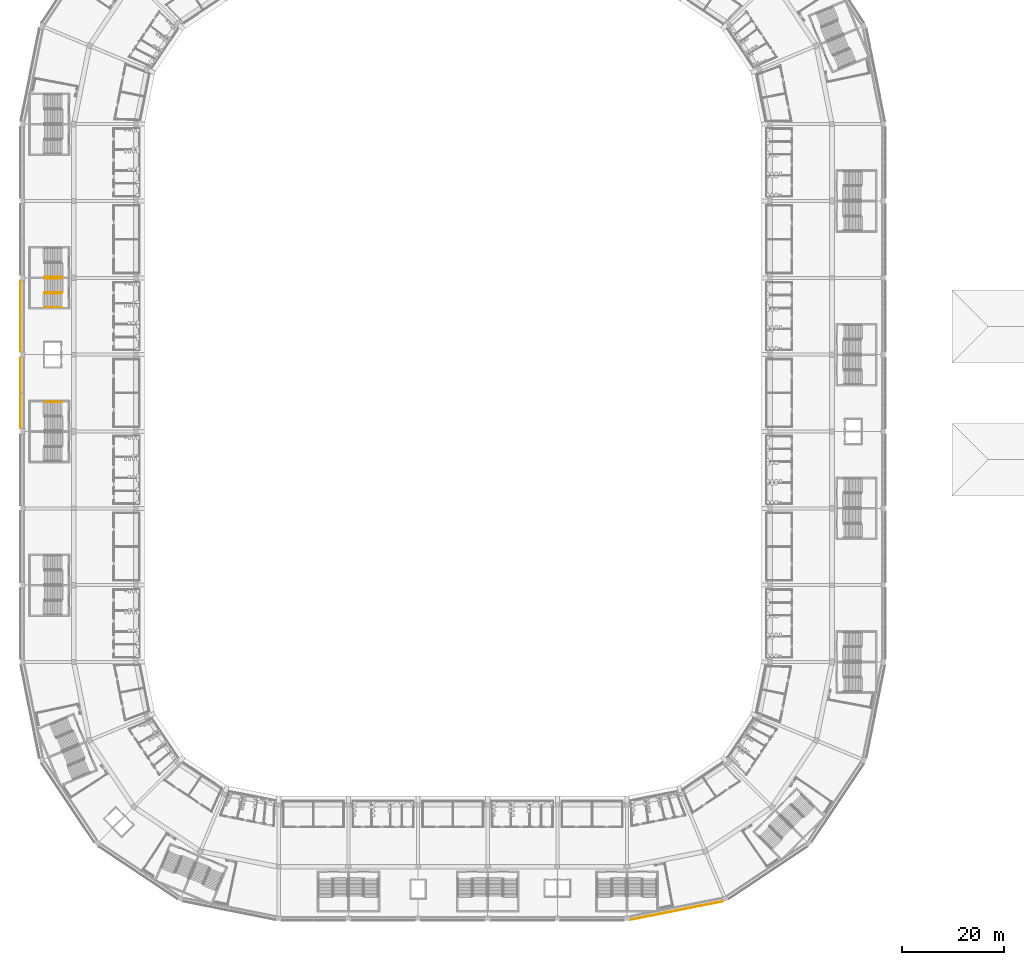
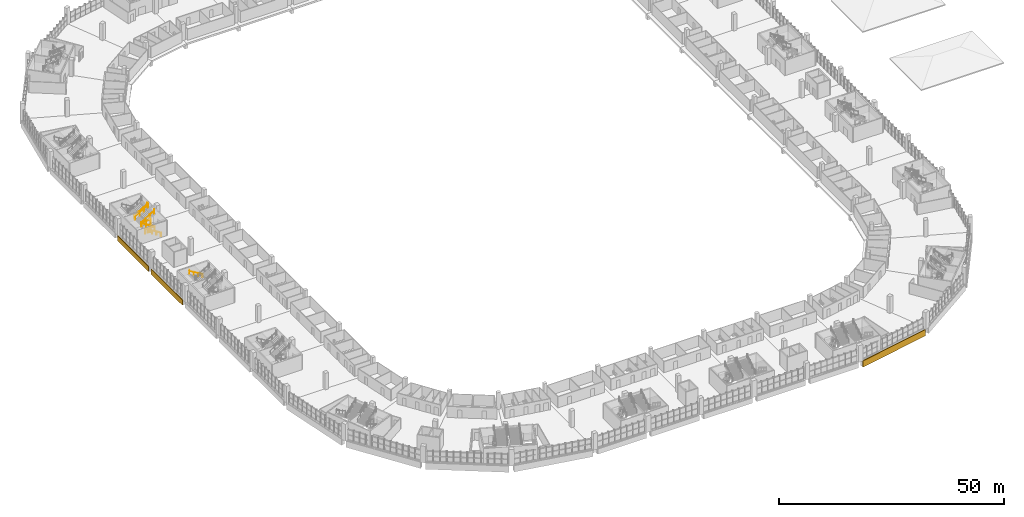
# One storey, part 188 of 199: 8 railings, 3 coverings.
"""IFC4 building model written with IfcOpenShell, lengths in metres."""

from ifc_helpers import new_model, si_unit, direction, frame, origin, origin_2d, place, context, subcontext, project, spatial, polyline, circle, outline, extrude, material, layer, layer_set, type_object, element, save


model = new_model("IFC4")

# Units and contexts
model_context = context("Model", 3, precision=1e-05, world=origin(), true_north=direction((0.0, 1.0)))
body_context = subcontext(model_context, "Body", "Model", "MODEL_VIEW")
ifc_project = project(units=[si_unit("LENGTHUNIT", "METRE"), si_unit("AREAUNIT", "SQUARE_METRE"), si_unit("VOLUMEUNIT", "CUBIC_METRE"), si_unit("PLANEANGLEUNIT", "RADIAN"), si_unit("MASSUNIT", "GRAM", prefix="KILO")], contexts=[model_context])

# Site, building, storey
site_placement = place(None, origin())
site = spatial("IfcSite", under=ifc_project, at=site_placement, CompositionType="ELEMENT")
building_placement = place(site_placement, origin())
building = spatial("IfcBuilding", under=site, at=building_placement, Name="Ogive Plaza Stadium", CompositionType="ELEMENT")
storey_placement = place(building_placement, frame((0.0, 0.0, 4.5)))
storey = spatial("IfcBuildingStorey", under=building, at=storey_placement, Name="L01", CompositionType="ELEMENT", Elevation=4.5)

# Railings
ifc_material_1 = material(Name="Steel ASTM A572 Grade 50", Category="steel")
railing_type_1 = type_object("IfcRailingType", Name="Guard 1100", PredefinedType="GUARDRAIL", material=ifc_material_1)
for number, where, name in (
    (1, (-76.35009765625, 19.52490234375, 0.0), "Stair well guard ST26B L01"),
    (2, (-77.31005859375, 19.52490234375, 2.25), "Stair well guard ST26B L01"),
):
    element("IfcRailing", number, at=place(storey_placement, frame(where)), inside=storey, type_object=railing_type_1, Name=name, PredefinedType="GUARDRAIL", context=body_context, shape_type="SweptSolid", body=[
        extrude(circle(Radius=0.02392578125, at=origin_2d()), frame((0.0, 0.0, 1.076171875), z_axis=(-1.0, 0.0, 0.0), x_axis=(0.0, -1.0, 0.0)), (0.0, 0.0, 1.0), 2.39990234375),
        extrude(circle(Radius=0.02099609375, at=origin_2d()), origin(), (0.0, 0.0, 1.0), 1.052001953125),
        extrude(circle(Radius=0.02099609375, at=origin_2d()), frame((-1.199951171875, 0.0, 0.0)), (0.0, 0.0, 1.0), 1.052001953125),
        extrude(circle(Radius=0.02099609375, at=origin_2d()), frame((-2.39990234375, 0.0, 0.0)), (0.0, 0.0, 1.0), 1.052001953125),
    ])
ifc_material_2 = material(Name="Steel ASTM A572 Grade 50", Category="steel")
railing_type_2 = type_object("IfcRailingType", Name="Handrail 900", PredefinedType="HANDRAIL", material=ifc_material_2)
railing_1_placement = place(storey_placement, frame((-76.35009765625, -1.735107421875, 0.173095703125)))
element("IfcRailing", 3, at=railing_1_placement, inside=storey, type_object=railing_type_2, Name="Handrail ST24A L01", PredefinedType="HANDRAIL", context=body_context, shape_type="SweptSolid", body=[
    extrude(circle(Radius=0.02392578125, at=origin_2d()), frame((0.0, 0.0, 0.8759765625), z_axis=(-0.850606129759, 0.0, 0.525803396734), x_axis=(0.0, -1.0, 0.0)), (0.0, 0.0, 1.0), 3.949951171875),
    extrude(circle(Radius=0.02099609375, at=origin_2d()), origin(), (0.0, 0.0, 1.0), 0.851806640625),
    extrude(circle(Radius=0.02099609375, at=origin_2d()), frame((-1.119873046875, 0.0, 0.6923828125)), (0.0, 0.0, 1.0), 0.851806640625),
    extrude(circle(Radius=0.02099609375, at=origin_2d()), frame((-2.239990234375, 0.0, 1.384521484375)), (0.0, 0.0, 1.0), 0.851806640625),
    extrude(circle(Radius=0.02099609375, at=origin_2d()), frame((-3.35986328125, 0.0, 2.076904296875)), (0.0, 0.0, 1.0), 1.10009765625),
])
railing_2_placement = place(storey_placement, frame((-79.7099609375, 22.68505859375, 2.423095703125)))
element("IfcRailing", 4, at=railing_2_placement, inside=storey, type_object=railing_type_2, Name="Handrail ST26A L01", PredefinedType="HANDRAIL", context=body_context, shape_type="SweptSolid", body=[
    extrude(circle(Radius=0.02392578125, at=origin_2d()), frame((0.0, 0.0, 0.8759765625), z_axis=(0.850606129759, 0.0, 0.525803396734), x_axis=(0.0, 1.0, 0.0)), (0.0, 0.0, 1.0), 3.949951171875),
    extrude(circle(Radius=0.02099609375, at=origin_2d()), origin(), (0.0, 0.0, 1.0), 0.851806640625),
    extrude(circle(Radius=0.02099609375, at=origin_2d()), frame((1.119873046875, 0.0, 0.6923828125)), (0.0, 0.0, 1.0), 0.851806640625),
    extrude(circle(Radius=0.02099609375, at=origin_2d()), frame((2.239990234375, 0.0, 1.384521484375)), (0.0, 0.0, 1.0), 0.851806640625),
    extrude(circle(Radius=0.02099609375, at=origin_2d()), frame((3.35986328125, 0.0, 2.076904296875)), (0.0, 0.0, 1.0), 1.10009765625),
])
for number, where, name in (
    (5, (-76.35009765625, 19.4150390625, 0.173095703125), "Handrail ST26B L01"),
    (6, (-76.35009765625, 16.735107421875, 0.173095703125), "Handrail ST26B L01"),
):
    element("IfcRailing", number, at=place(storey_placement, frame(where)), inside=storey, type_object=railing_type_2, Name=name, PredefinedType="HANDRAIL", context=body_context, shape_type="SweptSolid", body=[
        extrude(circle(Radius=0.02392578125, at=origin_2d()), frame((0.0, 0.0, 0.8759765625), z_axis=(-0.850606129759, 0.0, 0.525803396734), x_axis=(0.0, -1.0, 0.0)), (0.0, 0.0, 1.0), 3.949951171875),
        extrude(circle(Radius=0.02099609375, at=origin_2d()), origin(), (0.0, 0.0, 1.0), 0.851806640625),
        extrude(circle(Radius=0.02099609375, at=origin_2d()), frame((-1.119873046875, 0.0, 0.6923828125)), (0.0, 0.0, 1.0), 0.851806640625),
        extrude(circle(Radius=0.02099609375, at=origin_2d()), frame((-2.239990234375, 0.0, 1.384521484375)), (0.0, 0.0, 1.0), 0.851806640625),
        extrude(circle(Radius=0.02099609375, at=origin_2d()), frame((-3.35986328125, 0.0, 2.076904296875)), (0.0, 0.0, 1.0), 1.10009765625),
    ])
for number, where, name in (
    (7, (-79.7099609375, 22.31494140625, 2.423095703125), "Handrail ST26B L01"),
    (8, (-79.7099609375, 19.635009765625, 2.423095703125), "Handrail ST26B L01"),
):
    element("IfcRailing", number, at=place(storey_placement, frame(where)), inside=storey, type_object=railing_type_2, Name=name, PredefinedType="HANDRAIL", context=body_context, shape_type="SweptSolid", body=[
        extrude(circle(Radius=0.02392578125, at=origin_2d()), frame((0.0, 0.0, 0.8759765625), z_axis=(0.850606129759, 0.0, 0.525803396734), x_axis=(0.0, 1.0, 0.0)), (0.0, 0.0, 1.0), 3.949951171875),
        extrude(circle(Radius=0.02099609375, at=origin_2d()), origin(), (0.0, 0.0, 1.0), 0.851806640625),
        extrude(circle(Radius=0.02099609375, at=origin_2d()), frame((1.119873046875, 0.0, 0.6923828125)), (0.0, 0.0, 1.0), 0.851806640625),
        extrude(circle(Radius=0.02099609375, at=origin_2d()), frame((2.239990234375, 0.0, 1.384521484375)), (0.0, 0.0, 1.0), 0.851806640625),
        extrude(circle(Radius=0.02099609375, at=origin_2d()), frame((3.35986328125, 0.0, 2.076904296875)), (0.0, 0.0, 1.0), 1.10009765625),
    ])

# Coverings
ifc_material_3 = material(Name="Cast stone (reconstituted limestone)", Category="masonry")
ifc_layer = layer(ifc_material_3, 0.159912109375)
ifc_layer_set = layer_set([ifc_layer], Name="Precast spandrel cladding 160")
covering_type = type_object("IfcCoveringType", Name="Precast spandrel cladding 160", PredefinedType="CLADDING", material=ifc_layer_set)
covering_1_placement = place(storey_placement, frame((0.0, 0.0, -1.7099609375)))
element("IfcCovering", 9, at=covering_1_placement, inside=storey, type_object=covering_type, Name="SPANDREL CLADDING B11 L01", PredefinedType="CLADDING", context=body_context, shape_type="SweptSolid", body=[
    extrude(outline(polyline([(52.670654296875, -99.14306640625), (34.60009765625, -102.737548828125), (34.631103515625, -102.89453125), (52.701904296875, -99.300048828125), (52.670654296875, -99.14306640625)])), origin(), (0.0, 0.0, 1.0), 1.7099609375),
])
covering_2_placement = place(storey_placement, frame((0.0, 0.0, -1.409912109375)))
element("IfcCovering", 10, at=covering_2_placement, inside=storey, type_object=covering_type, Name="SPANDREL CLADDING B24 L01", PredefinedType="CLADDING", context=body_context, shape_type="SweptSolid", body=[
    extrude(outline(polyline([(-84.35009765625, -6.89990234375), (-84.35009765625, 6.89990234375), (-84.510009765625, 6.89990234375), (-84.510009765625, -6.89990234375), (-84.35009765625, -6.89990234375)])), origin(), (0.0, 0.0, 1.0), 1.409912109375),
])
covering_3_placement = place(storey_placement, frame((0.0, 0.0, -1.409912109375)))
element("IfcCovering", 11, at=covering_3_placement, inside=storey, type_object=covering_type, Name="SPANDREL CLADDING B25 L01", PredefinedType="CLADDING", context=body_context, shape_type="SweptSolid", body=[
    extrude(outline(polyline([(-84.35009765625, 8.10009765625), (-84.35009765625, 21.89990234375), (-84.510009765625, 21.89990234375), (-84.510009765625, 8.10009765625), (-84.35009765625, 8.10009765625)])), origin(), (0.0, 0.0, 1.0), 1.409912109375),
])

save(model, "model.ifc")
